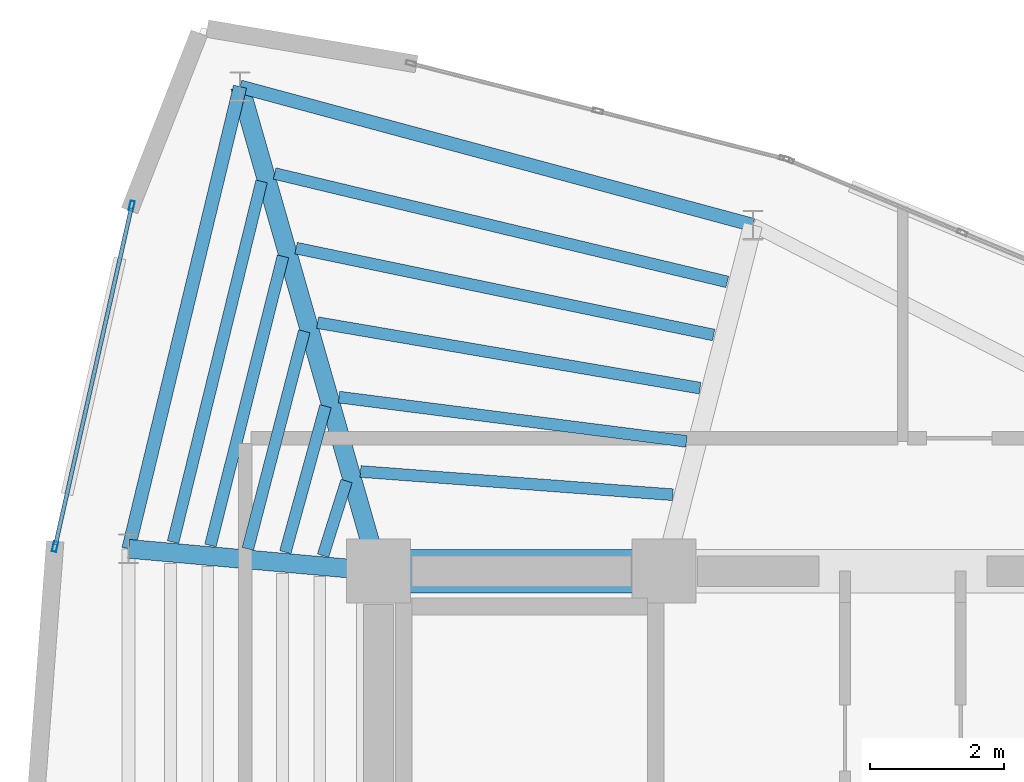
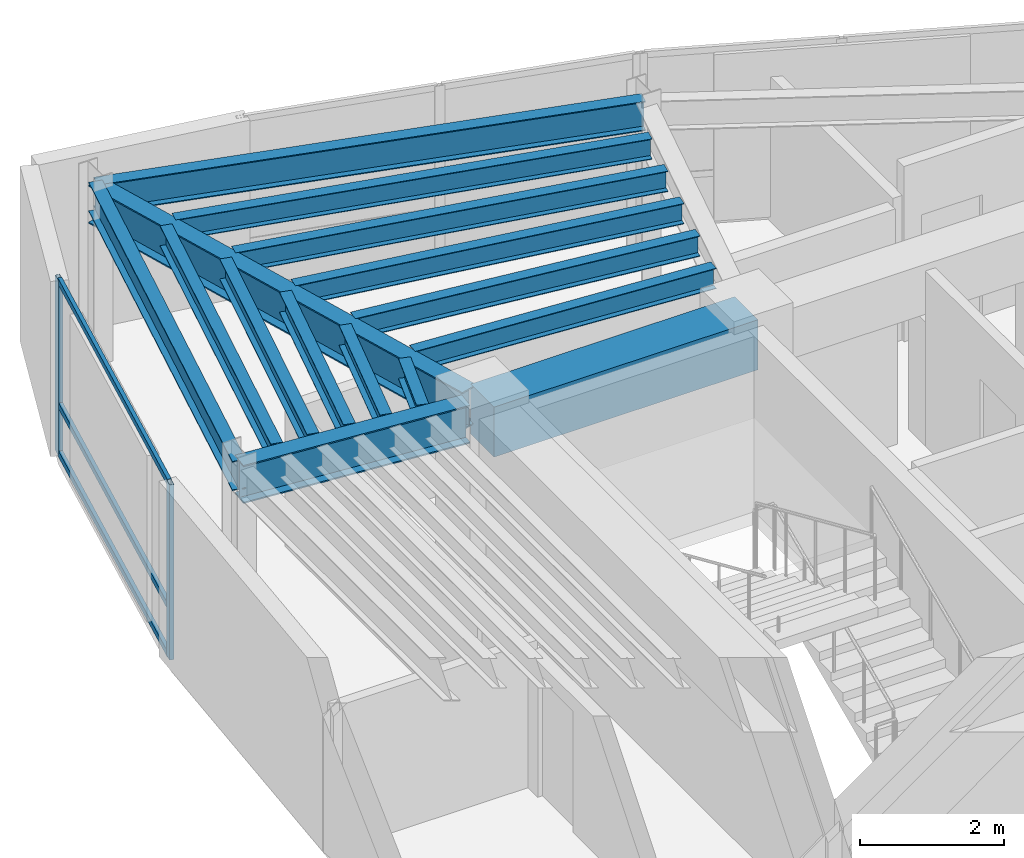
# One storey, part 7 of 14: 15 beams, 5 members, 1 element without a shape of its own.
"""IFC4 building model written with IfcOpenShell, lengths in metres."""

from ifc_helpers import new_model, si_unit, direction, frame, origin, origin_2d, place, context, subcontext, project, spatial, rectangle, hollow_rectangle, i_section, extrude, material, layer, layer_set, material_profile, profile_set, type_object, element, aggregate, save


model = new_model("IFC4")

# Units and contexts
model_context = context("Model", 3, precision=1e-05, world=origin(), true_north=direction((0.0, 1.0)))
body_context = subcontext(model_context, "Body", "Model", "MODEL_VIEW")
ifc_project = project(units=[si_unit("LENGTHUNIT", "METRE"), si_unit("AREAUNIT", "SQUARE_METRE"), si_unit("VOLUMEUNIT", "CUBIC_METRE"), si_unit("PLANEANGLEUNIT", "RADIAN"), si_unit("MASSUNIT", "GRAM", prefix="KILO")], contexts=[model_context])

# Site, building, storey
site_placement = place(None, origin())
site = spatial("IfcSite", under=ifc_project, at=site_placement, CompositionType="ELEMENT")
building_placement = place(site_placement, origin())
building = spatial("IfcBuilding", under=site, at=building_placement, Name="Menara Vayukalpa", CompositionType="ELEMENT")
storey_placement = place(building_placement, frame((0.0, 0.0, 302.419921875)))
storey = spatial("IfcBuildingStorey", under=building, at=storey_placement, Name="L77", CompositionType="ELEMENT", Elevation=302.419921875)

# Beams
ifc_material_1 = material(Name="Concrete C60/75", Category="concrete")
ifc_material_profile_1 = material_profile(ifc_material_1, rectangle(XDim=0.64990234375, YDim=0.85009765625, at=origin_2d()), Name="RC 650x850")
ifc_profile_set_1 = profile_set([ifc_material_profile_1], Name="Concrete C60/75")
beam_type_1 = type_object("IfcBeamType", Name="BM-CB1", PredefinedType="BEAM", material=ifc_profile_set_1)
beam_1_placement = place(storey_placement, frame((17.800048828125, 26.800048828125, 2.55517578125), z_axis=(1.0, 0.0, 0.0), x_axis=(0.0, 1.0, 0.0)))
element("IfcBeam", 1, at=beam_1_placement, inside=storey, type_object=beam_type_1, Name="L77 Core Tie Beam CBR4", PredefinedType="BEAM", context=body_context, shape_type="SweptSolid", body=[
    extrude(rectangle(XDim=0.64990234375, YDim=0.85009765625, at=origin_2d()), origin(), (0.0, 0.0, 1.0), 4.25),
])
ifc_material_2 = material(Name="Steel S355", Category="steel")
ifc_material_profile_2 = material_profile(ifc_material_2, i_section(OverallWidth=0.280029296875, OverallDepth=0.64990234375, WebThickness=0.012939453125, FlangeThickness=0.02197265625, at=origin_2d()), Name="WF 650x280x13x22")
ifc_profile_set_2 = profile_set([ifc_material_profile_2], Name="Steel S355")
beam_type_2 = type_object("IfcBeamType", Name="BM-PG6", PredefinedType="BEAM", material=ifc_profile_set_2)
beam_2_placement = place(storey_placement, frame((17.731201171875, 27.040283203125, 2.655029296875), z_axis=(-0.274721127897, 0.961523947641, 0.0), x_axis=(-0.961523947641, -0.274721127897, 0.0)))
element("IfcBeam", 2, at=beam_2_placement, inside=storey, type_object=beam_type_2, Name="L77 Primary Radial Girder RG04", PredefinedType="BEAM", context=body_context, shape_type="SweptSolid", body=[
    extrude(i_section(OverallWidth=0.280029296875, OverallDepth=0.64990234375, WebThickness=0.012939453125, FlangeThickness=0.02197265625, at=origin_2d()), origin(), (0.0, 0.0, 1.0), 7.246337890625),
])
beam_3_placement = place(storey_placement, frame((17.551025390625, 26.822265625, 2.655029296875), z_axis=(-0.996018615253, 0.089145488221, 0.0), x_axis=(-0.089145488221, -0.996018615253, 0.0)))
element("IfcBeam", 3, at=beam_3_placement, inside=storey, type_object=beam_type_2, Name="L77 Primary Radial Girder RG05", PredefinedType="BEAM", context=body_context, shape_type="SweptSolid", body=[
    extrude(i_section(OverallWidth=0.280029296875, OverallDepth=0.64990234375, WebThickness=0.012939453125, FlangeThickness=0.02197265625, at=origin_2d()), origin(), (0.0, 0.0, 1.0), 3.483642578125),
])
ifc_material_3 = material(Name="Steel S355", Category="steel")
ifc_material_profile_3 = material_profile(ifc_material_3, i_section(OverallWidth=0.175048828125, OverallDepth=0.35009765625, WebThickness=0.007080078125, FlangeThickness=0.010986328125, at=origin_2d()), Name="WF 350x175x7x11")
ifc_profile_set_3 = profile_set([ifc_material_profile_3], Name="Steel S355")
beam_type_3 = type_object("IfcBeamType", Name="BM-SJ3", PredefinedType="JOIST", material=ifc_profile_set_3)
beam_4_placement = place(storey_placement, frame((22.17919921875, 27.9375, 2.80517578125), z_axis=(-0.997251719177, 0.074087843793, 0.0), x_axis=(-0.074087843793, -0.997251719177, 0.0)))
element("IfcBeam", 4, at=beam_4_placement, inside=storey, type_object=beam_type_3, Name="L77 Secondary Floor Joist SJ03-1", PredefinedType="JOIST", context=body_context, shape_type="SweptSolid", body=[
    extrude(i_section(OverallWidth=0.175048828125, OverallDepth=0.35009765625, WebThickness=0.007080078125, FlangeThickness=0.010986328125, at=origin_2d()), origin(), (0.0, 0.0, 1.0), 4.659423828125),
])
beam_5_placement = place(storey_placement, frame((22.38134765625, 28.73095703125, 2.80517578125), z_axis=(-0.99198755764, 0.126335606566, 0.0), x_axis=(-0.126335606566, -0.99198755764, 0.0)))
element("IfcBeam", 5, at=beam_5_placement, inside=storey, type_object=beam_type_3, Name="L77 Secondary Floor Joist SJ03-2", PredefinedType="JOIST", context=body_context, shape_type="SweptSolid", body=[
    extrude(i_section(OverallWidth=0.175048828125, OverallDepth=0.35009765625, WebThickness=0.007080078125, FlangeThickness=0.010986328125, at=origin_2d()), origin(), (0.0, 0.0, 1.0), 5.2099609375),
])
beam_6_placement = place(storey_placement, frame((22.583740234375, 29.522705078125, 2.80517578125), z_axis=(-0.985653829347, 0.168779526877, 0.0), x_axis=(-0.168779526877, -0.985653829347, 0.0)))
element("IfcBeam", 6, at=beam_6_placement, inside=storey, type_object=beam_type_3, Name="L77 Secondary Floor Joist SJ03-3", PredefinedType="JOIST", context=body_context, shape_type="SweptSolid", body=[
    extrude(i_section(OverallWidth=0.175048828125, OverallDepth=0.35009765625, WebThickness=0.007080078125, FlangeThickness=0.010986328125, at=origin_2d()), origin(), (0.0, 0.0, 1.0), 5.77294921875),
])
beam_7_placement = place(storey_placement, frame((22.7861328125, 30.3134765625, 2.80517578125), z_axis=(-0.979026809099, 0.203731458211, 0.0), x_axis=(-0.203731458211, -0.979026809099, 0.0)))
element("IfcBeam", 7, at=beam_7_placement, inside=storey, type_object=beam_type_3, Name="L77 Secondary Floor Joist SJ03-4", PredefinedType="JOIST", context=body_context, shape_type="SweptSolid", body=[
    extrude(i_section(OverallWidth=0.175048828125, OverallDepth=0.35009765625, WebThickness=0.007080078125, FlangeThickness=0.010986328125, at=origin_2d()), origin(), (0.0, 0.0, 1.0), 6.34521484375),
])
beam_8_placement = place(storey_placement, frame((22.988525390625, 31.103515625, 2.80517578125), z_axis=(-0.972498563376, 0.232908875382, 0.0), x_axis=(-0.232908875382, -0.972498563376, 0.0)))
element("IfcBeam", 8, at=beam_8_placement, inside=storey, type_object=beam_type_3, Name="L77 Secondary Floor Joist SJ03-5", PredefinedType="JOIST", context=body_context, shape_type="SweptSolid", body=[
    extrude(i_section(OverallWidth=0.175048828125, OverallDepth=0.35009765625, WebThickness=0.007080078125, FlangeThickness=0.010986328125, at=origin_2d()), origin(), (0.0, 0.0, 1.0), 6.924560546875),
])
beam_9_placement = place(storey_placement, frame((17.324951171875, 28.141845703125, 2.80517578125), z_axis=(-0.300720135723, -0.953712430437, 0.0), x_axis=(0.953712430437, -0.300720135723, 0.0)))
element("IfcBeam", 9, at=beam_9_placement, inside=storey, type_object=beam_type_3, Name="L77 Secondary Floor Joist SJ04-1", PredefinedType="JOIST", context=body_context, shape_type="SweptSolid", body=[
    extrude(i_section(OverallWidth=0.175048828125, OverallDepth=0.35009765625, WebThickness=0.007080078125, FlangeThickness=0.010986328125, at=origin_2d()), origin(), (0.0, 0.0, 1.0), 1.1650390625),
])
beam_10_placement = place(storey_placement, frame((17.011962890625, 29.2548828125, 2.80517578125), z_axis=(-0.265408257597, -0.964136119435, 0.0), x_axis=(0.964136119435, -0.265408257597, 0.0)))
element("IfcBeam", 10, at=beam_10_placement, inside=storey, type_object=beam_type_3, Name="L77 Secondary Floor Joist SJ04-2", PredefinedType="JOIST", context=body_context, shape_type="SweptSolid", body=[
    extrude(i_section(OverallWidth=0.175048828125, OverallDepth=0.35009765625, WebThickness=0.007080078125, FlangeThickness=0.010986328125, at=origin_2d()), origin(), (0.0, 0.0, 1.0), 2.253662109375),
])
beam_11_placement = place(storey_placement, frame((16.69580078125, 30.369140625, 2.80517578125), z_axis=(-0.25101283466, -0.96798375856, 0.0), x_axis=(0.96798375856, -0.25101283466, 0.0)))
element("IfcBeam", 11, at=beam_11_placement, inside=storey, type_object=beam_type_3, Name="L77 Secondary Floor Joist SJ04-3", PredefinedType="JOIST", context=body_context, shape_type="SweptSolid", body=[
    extrude(i_section(OverallWidth=0.175048828125, OverallDepth=0.35009765625, WebThickness=0.007080078125, FlangeThickness=0.010986328125, at=origin_2d()), origin(), (0.0, 0.0, 1.0), 3.343994140625),
])
beam_12_placement = place(storey_placement, frame((16.37841796875, 31.483642578125, 2.80517578125), z_axis=(-0.243183291128, -0.969980353882, 0.0), x_axis=(0.969980353882, -0.243183291128, 0.0)))
element("IfcBeam", 12, at=beam_12_placement, inside=storey, type_object=beam_type_3, Name="L77 Secondary Floor Joist SJ04-4", PredefinedType="JOIST", context=body_context, shape_type="SweptSolid", body=[
    extrude(i_section(OverallWidth=0.175048828125, OverallDepth=0.35009765625, WebThickness=0.007080078125, FlangeThickness=0.010986328125, at=origin_2d()), origin(), (0.0, 0.0, 1.0), 4.434326171875),
])
beam_13_placement = place(storey_placement, frame((16.060791015625, 32.59814453125, 2.80517578125), z_axis=(-0.238311967576, -0.971188656292, 0.0), x_axis=(0.971188656292, -0.238311967576, 0.0)))
element("IfcBeam", 13, at=beam_13_placement, inside=storey, type_object=beam_type_3, Name="L77 Secondary Floor Joist SJ04-5", PredefinedType="JOIST", context=body_context, shape_type="SweptSolid", body=[
    extrude(i_section(OverallWidth=0.175048828125, OverallDepth=0.35009765625, WebThickness=0.007080078125, FlangeThickness=0.010986328125, at=origin_2d()), origin(), (0.0, 0.0, 1.0), 5.52490234375),
])
ifc_material_4 = material(Name="Steel S355", Category="steel")
ifc_material_profile_4 = material_profile(ifc_material_4, i_section(OverallWidth=0.199951171875, OverallDepth=0.5, WebThickness=0.010009765625, FlangeThickness=0.01611328125, at=origin_2d()), Name="WF 500x200x10x16")
ifc_profile_set_4 = profile_set([ifc_material_profile_4], Name="Steel S355")
beam_type_4 = type_object("IfcBeamType", Name="BM-SP3", PredefinedType="SPANDREL", material=ifc_profile_set_4)
beam_14_placement = place(storey_placement, frame((23.37060546875, 31.949462890625, 2.72998046875), z_axis=(-0.965485889412, 0.260455365361, 0.0), x_axis=(-0.260455365361, -0.965485889412, 0.0)))
element("IfcBeam", 14, at=beam_14_placement, inside=storey, type_object=beam_type_4, Name="L77 Perimeter Spandrel Beam SP03", PredefinedType="SPANDREL", context=body_context, shape_type="SweptSolid", body=[
    extrude(i_section(OverallWidth=0.199951171875, OverallDepth=0.5, WebThickness=0.010009765625, FlangeThickness=0.01611328125, at=origin_2d()), origin(), (0.0, 0.0, 1.0), 7.90283203125),
])
beam_15_placement = place(storey_placement, frame((15.740478515625, 34.0078125, 2.72998046875), z_axis=(-0.234600039411, -0.97209198202, 0.0), x_axis=(0.97209198202, -0.234600039411, 0.0)))
element("IfcBeam", 15, at=beam_15_placement, inside=storey, type_object=beam_type_4, Name="L77 Perimeter Spandrel Beam SP04", PredefinedType="SPANDREL", context=body_context, shape_type="SweptSolid", body=[
    extrude(i_section(OverallWidth=0.199951171875, OverallDepth=0.5, WebThickness=0.010009765625, FlangeThickness=0.01611328125, at=origin_2d()), origin(), (0.0, 0.0, 1.0), 7.072265625),
])

# Curtain wall, members
ifc_material_5 = material(Name="Anodised Terracotta Aluminium Alloy 6063-T6", Category="masonry")
ifc_layer = layer(ifc_material_5, 0.14990234375)
ifc_layer_set = layer_set([ifc_layer], Name="Anodised Terracotta Aluminium Alloy 6063-T6")
curtain_wall_type = type_object("IfcCurtainWallType", Name="CW-CW7", PredefinedType="USERDEFINED", material=ifc_layer_set)
curtain_wall_placement = place(storey_placement, origin())
curtain_wall = element("IfcCurtainWall", 16, at=curtain_wall_placement, inside=storey, type_object=curtain_wall_type, Name="L77 Crown Drum Screened Curtain Wall CW7 09", ObjectType="UNITISED", PredefinedType="USERDEFINED")
ifc_material_6 = material(Name="Anodised Terracotta Aluminium Alloy 6063-T6", Category="masonry")
ifc_material_profile_5 = material_profile(ifc_material_6, hollow_rectangle(XDim=0.06494140625, YDim=0.14990234375, WallThickness=0.00341796875, at=origin_2d()), Name="ALU 65x150x3.5")
ifc_profile_set_5 = profile_set([ifc_material_profile_5], Name="Anodised Terracotta Aluminium Alloy 6063-T6")
member_type_1 = type_object("IfcMemberType", Name="CWM-CW7", PredefinedType="MULLION", material=ifc_profile_set_5)
member_1_placement = place(storey_placement, frame((14.129150390625, 32.23388671875, 0.0), z_axis=(0.0, 0.0, 1.0), x_axis=(0.975608941973, -0.219515813421, 0.0)))
member_1 = element("IfcMember", 17, at=member_1_placement, type_object=member_type_1, Name="CW7 mullion 1", PredefinedType="MULLION", context=body_context, shape_type="SweptSolid", body=[
    extrude(hollow_rectangle(XDim=0.06494140625, YDim=0.14990234375, WallThickness=0.00341796875, at=origin_2d()), origin(), (0.0, 0.0, 1.0), 2.97998046875),
])
member_2_placement = place(storey_placement, frame((12.988525390625, 27.16455078125, 0.0), z_axis=(0.0, 0.0, 1.0), x_axis=(0.975608941973, -0.219515813421, 0.0)))
member_2 = element("IfcMember", 18, at=member_2_placement, type_object=member_type_1, Name="CW7 mullion 2", PredefinedType="MULLION", context=body_context, shape_type="SweptSolid", body=[
    extrude(hollow_rectangle(XDim=0.06494140625, YDim=0.14990234375, WallThickness=0.00341796875, at=origin_2d()), origin(), (0.0, 0.0, 1.0), 2.97998046875),
])
ifc_material_7 = material(Name="Anodised Terracotta Aluminium Alloy 6063-T6", Category="masonry")
ifc_material_profile_6 = material_profile(ifc_material_7, hollow_rectangle(XDim=0.06005859375, YDim=0.10498046875, WallThickness=0.0029296875, at=origin_2d()), Name="ALU 60x105x3")
ifc_profile_set_6 = profile_set([ifc_material_profile_6], Name="Anodised Terracotta Aluminium Alloy 6063-T6")
member_type_2 = type_object("IfcMemberType", Name="CWT-CW7", PredefinedType="USERDEFINED", material=ifc_profile_set_6)
member_3_placement = place(storey_placement, frame((14.1220703125, 32.2021484375, 0.030029296875), z_axis=(-0.219539368084, -0.975603641784, 0.0), x_axis=(0.975603641784, -0.219539368084, 0.0)))
member_3 = element("IfcMember", 19, at=member_3_placement, type_object=member_type_2, Name="CW7 transom 1.1", ObjectType="TRANSOM", PredefinedType="USERDEFINED", context=body_context, shape_type="SweptSolid", body=[
    extrude(hollow_rectangle(XDim=0.06005859375, YDim=0.10498046875, WallThickness=0.0029296875, at=origin_2d()), origin(), (0.0, 0.0, 1.0), 5.131103515625),
])
member_4_placement = place(storey_placement, frame((14.1220703125, 32.2021484375, 0.85009765625), z_axis=(-0.219539368084, -0.975603641784, 0.0), x_axis=(0.975603641784, -0.219539368084, 0.0)))
member_4 = element("IfcMember", 20, at=member_4_placement, type_object=member_type_2, Name="CW7 transom 1.2", ObjectType="TRANSOM", PredefinedType="USERDEFINED", context=body_context, shape_type="SweptSolid", body=[
    extrude(hollow_rectangle(XDim=0.06005859375, YDim=0.10498046875, WallThickness=0.0029296875, at=origin_2d()), origin(), (0.0, 0.0, 1.0), 5.131103515625),
])
member_5_placement = place(storey_placement, frame((14.1220703125, 32.2021484375, 2.9501953125), z_axis=(-0.219539368084, -0.975603641784, 0.0), x_axis=(0.975603641784, -0.219539368084, 0.0)))
member_5 = element("IfcMember", 21, at=member_5_placement, type_object=member_type_2, Name="CW7 transom 1.3", ObjectType="TRANSOM", PredefinedType="USERDEFINED", context=body_context, shape_type="SweptSolid", body=[
    extrude(hollow_rectangle(XDim=0.06005859375, YDim=0.10498046875, WallThickness=0.0029296875, at=origin_2d()), origin(), (0.0, 0.0, 1.0), 5.131103515625),
])
aggregate(curtain_wall, [member_1, member_2, member_3, member_4, member_5])

save(model, "model.ifc")
